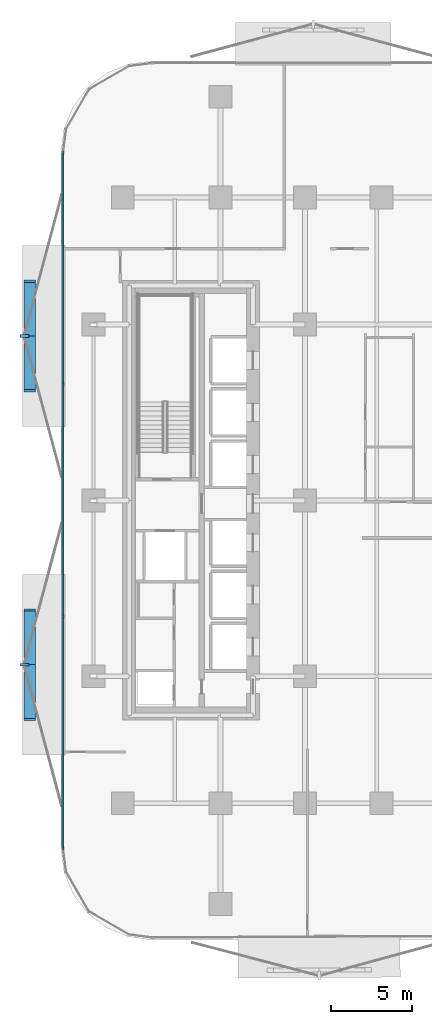
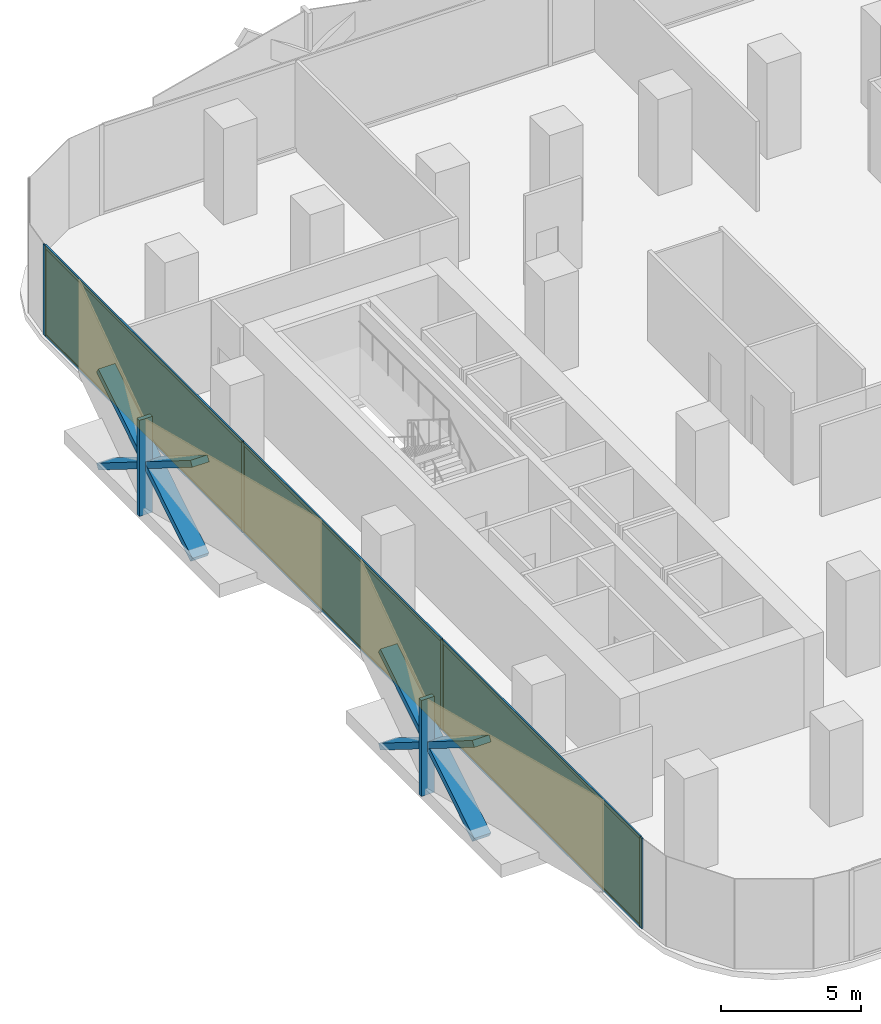
# One storey, part 9 of 16: 16 members, 3 plates, 1 curtain wall.
"""IFC4 building model written with IfcOpenShell, lengths in metres."""

from ifc_helpers import new_model, si_unit, direction, frame, frame_2d, origin, origin_2d, place, context, subcontext, project, spatial, rectangle, extrude, material, layer, layer_set, material_profile, profile_set, type_object, element, aggregate, save


model = new_model("IFC4")

# Units and contexts
model_context = context("Model", 3, precision=1e-05, world=origin(), true_north=direction((0.0, 1.0)))
body_context = subcontext(model_context, "Body", "Model", "MODEL_VIEW")
ifc_project = project(units=[si_unit("LENGTHUNIT", "METRE"), si_unit("AREAUNIT", "SQUARE_METRE"), si_unit("VOLUMEUNIT", "CUBIC_METRE"), si_unit("PLANEANGLEUNIT", "RADIAN"), si_unit("MASSUNIT", "GRAM", prefix="KILO")], contexts=[model_context])

# Member
ifc_material_1 = material(Name="Anodised Bronze Aluminium 6063-T6", Category="aluminium")
ifc_material_profile_1 = material_profile(ifc_material_1, rectangle(XDim=0.260009765625, YDim=0.699951171875, at=origin_2d()))
ifc_profile_set_1 = profile_set([ifc_material_profile_1], Name="Anodised Bronze Aluminium 6063-T6")
member_type_1 = type_object("IfcMemberType", Name="Bronze Diamond Solar-Screen Lattice Rib BDL-700", PredefinedType="MULLION", material=ifc_profile_set_1)
site_placement = place(None, origin())
building_placement = place(site_placement, origin())
storey_placement = place(building_placement, frame((0.0, 0.0, 55.39990234375)))
member_1_placement = place(storey_placement, frame((-26.10009765625, -13.46044921875, -0.1298828125), z_axis=(0.0, 0.848362902952, 0.529415134744), x_axis=(0.0, -0.529415134744, 0.848362902952)))
member_1 = element("IfcMember", 1, at=member_1_placement, type_object=member_type_1, Name="L13 Bronze Diamond Solar Screen Lattice Rib 59A", PredefinedType="MULLION", context=body_context, shape_type="SweptSolid", body=[
    extrude(rectangle(XDim=0.260009765625, YDim=0.699951171875, at=origin_2d()), origin(), (0.0, 0.0, 1.0), 7.93310546875),
])

member_2_placement = place(storey_placement, frame((-26.10009765625, -6.730224609375, -0.1298828125), z_axis=(0.0, -0.848362902952, 0.529415134744), x_axis=(0.0, 0.529415134744, 0.848362902952)))
member_2 = element("IfcMember", 2, at=member_2_placement, type_object=member_type_1, Name="L13 Bronze Diamond Solar Screen Lattice Rib 59B", PredefinedType="MULLION", context=body_context, shape_type="SweptSolid", body=[
    extrude(rectangle(XDim=0.260009765625, YDim=0.699951171875, at=origin_2d()), origin(), (0.0, 0.0, 1.0), 7.93310546875),
])

member_3_placement = place(storey_placement, frame((-26.10009765625, 6.730224609375, -0.1298828125), z_axis=(0.0, 0.848362902952, 0.529415134744), x_axis=(0.0, -0.529415134744, 0.848362902952)))
member_3 = element("IfcMember", 3, at=member_3_placement, type_object=member_type_1, Name="L13 Bronze Diamond Solar Screen Lattice Rib 60A", PredefinedType="MULLION", context=body_context, shape_type="SweptSolid", body=[
    extrude(rectangle(XDim=0.260009765625, YDim=0.699951171875, at=origin_2d()), origin(), (0.0, 0.0, 1.0), 7.93310546875),
])

member_4_placement = place(storey_placement, frame((-26.10009765625, 13.46044921875, -0.1298828125), z_axis=(0.0, -0.848362902952, 0.529415134744), x_axis=(0.0, 0.529415134744, 0.848362902952)))
member_4 = element("IfcMember", 4, at=member_4_placement, type_object=member_type_1, Name="L13 Bronze Diamond Solar Screen Lattice Rib 60B", PredefinedType="MULLION", context=body_context, shape_type="SweptSolid", body=[
    extrude(rectangle(XDim=0.260009765625, YDim=0.699951171875, at=origin_2d()), origin(), (0.0, 0.0, 1.0), 7.93310546875),
])

ifc_material_2 = material(Name="Anodised Bronze Aluminium 6063-T6", Category="aluminium")
ifc_material_profile_2 = material_profile(ifc_material_2, rectangle(XDim=0.179931640625, YDim=0.5400390625, at=origin_2d()))
ifc_profile_set_2 = profile_set([ifc_material_profile_2], Name="Anodised Bronze Aluminium 6063-T6")
member_type_2 = type_object("IfcMemberType", Name="Bronze Solar-Screen Vertical Fold Fin BSF-540", PredefinedType="MULLION", material=ifc_profile_set_2)
member_5_placement = place(storey_placement, frame((-26.43994140625, -10.095458984375, -0.1298828125), z_axis=(0.0, 0.0, 1.0), x_axis=(0.0, 1.0, 0.0)))
member_5 = element("IfcMember", 5, at=member_5_placement, type_object=member_type_2, Name="L13 Bronze Solar Screen Vertical Fin 59", PredefinedType="MULLION", context=body_context, shape_type="SweptSolid", body=[
    extrude(rectangle(XDim=0.179931640625, YDim=0.5400390625, at=origin_2d()), origin(), (0.0, 0.0, 1.0), 4.199951171875),
])

member_6_placement = place(storey_placement, frame((-26.43994140625, 10.095458984375, -0.1298828125), z_axis=(0.0, 0.0, 1.0), x_axis=(0.0, 1.0, 0.0)))
member_6 = element("IfcMember", 6, at=member_6_placement, type_object=member_type_2, Name="L13 Bronze Solar Screen Vertical Fin 60", PredefinedType="MULLION", context=body_context, shape_type="SweptSolid", body=[
    extrude(rectangle(XDim=0.179931640625, YDim=0.5400390625, at=origin_2d()), origin(), (0.0, 0.0, 1.0), 4.199951171875),
])

ifc_material_3 = material(Name="Anodised Bronze Aluminium 6063-T6", Category="aluminium")
ifc_material_profile_3 = material_profile(ifc_material_3, rectangle(XDim=0.06494140625, YDim=0.179931640625, at=origin_2d()))
ifc_profile_set_3 = profile_set([ifc_material_profile_3], Name="Anodised Bronze Aluminium 6063-T6")
member_type_3 = type_object("IfcMemberType", Name="CW-Z1 Mullion 65x180", PredefinedType="MULLION", material=ifc_profile_set_3)
member_7_placement = place(storey_placement, frame((-24.06005859375, -21.3583984375, 0.0), z_axis=(0.0, 0.0, 1.0), x_axis=(-1.0, 0.0, 0.0)))
member_7 = element("IfcMember", 7, at=member_7_placement, type_object=member_type_3, Name="CW-Z1 mullion 1", PredefinedType="MULLION", context=body_context, shape_type="SweptSolid", body=[
    extrude(rectangle(XDim=0.06494140625, YDim=0.179931640625, at=origin_2d()), origin(), (0.0, 0.0, 1.0), 3.940185546875),
])

member_8_placement = place(storey_placement, frame((-24.06005859375, -7.13037109375, 0.0), z_axis=(0.0, 0.0, 1.0), x_axis=(-1.0, 0.0, 0.0)))
member_8 = element("IfcMember", 8, at=member_8_placement, type_object=member_type_3, Name="CW-Z1 mullion 2", PredefinedType="MULLION", context=body_context, shape_type="SweptSolid", body=[
    extrude(rectangle(XDim=0.06494140625, YDim=0.179931640625, at=origin_2d()), origin(), (0.0, 0.0, 1.0), 3.940185546875),
])

member_9_placement = place(storey_placement, frame((-24.06005859375, 7.13037109375, 0.0), z_axis=(0.0, 0.0, 1.0), x_axis=(-1.0, 0.0, 0.0)))
member_9 = element("IfcMember", 9, at=member_9_placement, type_object=member_type_3, Name="CW-Z1 mullion 3", PredefinedType="MULLION", context=body_context, shape_type="SweptSolid", body=[
    extrude(rectangle(XDim=0.06494140625, YDim=0.179931640625, at=origin_2d()), origin(), (0.0, 0.0, 1.0), 3.940185546875),
])

member_10_placement = place(storey_placement, frame((-24.06005859375, 21.3583984375, 0.0), z_axis=(0.0, 0.0, 1.0), x_axis=(-1.0, 0.0, 0.0)))
member_10 = element("IfcMember", 10, at=member_10_placement, type_object=member_type_3, Name="CW-Z1 mullion 4", PredefinedType="MULLION", context=body_context, shape_type="SweptSolid", body=[
    extrude(rectangle(XDim=0.06494140625, YDim=0.179931640625, at=origin_2d()), origin(), (0.0, 0.0, 1.0), 3.940185546875),
])

ifc_material_4 = material(Name="Anodised Bronze Aluminium 6063-T6", Category="aluminium")
ifc_material_profile_4 = material_profile(ifc_material_4, rectangle(XDim=0.06494140625, YDim=0.139892578125, at=origin_2d()))
ifc_profile_set_4 = profile_set([ifc_material_profile_4], Name="Anodised Bronze Aluminium 6063-T6")
member_type_4 = type_object("IfcMemberType", Name="CW-Z1 Transom 65x140", PredefinedType="USERDEFINED", material=ifc_profile_set_4)
member_11_placement = place(storey_placement, frame((-24.06005859375, -21.32568359375, 0.03271484375), z_axis=(0.0, 1.0, 0.0), x_axis=(-1.0, 0.0, 0.0)))
member_11 = element("IfcMember", 11, at=member_11_placement, type_object=member_type_4, Name="CW-Z1 transom 1.1", ObjectType="TRANSOM", PredefinedType="USERDEFINED", context=body_context, shape_type="SweptSolid", body=[
    extrude(rectangle(XDim=0.06494140625, YDim=0.139892578125, at=origin_2d()), origin(), (0.0, 0.0, 1.0), 14.162841796875),
])

member_12_placement = place(storey_placement, frame((-24.06005859375, -21.32568359375, 3.90771484375), z_axis=(0.0, 1.0, 0.0), x_axis=(-1.0, 0.0, 0.0)))
member_12 = element("IfcMember", 12, at=member_12_placement, type_object=member_type_4, Name="CW-Z1 transom 1.2", ObjectType="TRANSOM", PredefinedType="USERDEFINED", context=body_context, shape_type="SweptSolid", body=[
    extrude(rectangle(XDim=0.06494140625, YDim=0.139892578125, at=origin_2d()), origin(), (0.0, 0.0, 1.0), 14.162841796875),
])

member_13_placement = place(storey_placement, frame((-24.06005859375, -7.09765625, 0.03271484375), z_axis=(0.0, 1.0, 0.0), x_axis=(-1.0, 0.0, 0.0)))
member_13 = element("IfcMember", 13, at=member_13_placement, type_object=member_type_4, Name="CW-Z1 transom 2.1", ObjectType="TRANSOM", PredefinedType="USERDEFINED", context=body_context, shape_type="SweptSolid", body=[
    extrude(rectangle(XDim=0.06494140625, YDim=0.139892578125, at=origin_2d()), origin(), (0.0, 0.0, 1.0), 14.1953125),
])

member_14_placement = place(storey_placement, frame((-24.06005859375, -7.09765625, 3.90771484375), z_axis=(0.0, 1.0, 0.0), x_axis=(-1.0, 0.0, 0.0)))
member_14 = element("IfcMember", 14, at=member_14_placement, type_object=member_type_4, Name="CW-Z1 transom 2.2", ObjectType="TRANSOM", PredefinedType="USERDEFINED", context=body_context, shape_type="SweptSolid", body=[
    extrude(rectangle(XDim=0.06494140625, YDim=0.139892578125, at=origin_2d()), origin(), (0.0, 0.0, 1.0), 14.1953125),
])

member_15_placement = place(storey_placement, frame((-24.06005859375, 7.162841796875, 0.03271484375), z_axis=(0.0, 1.0, 0.0), x_axis=(-1.0, 0.0, 0.0)))
member_15 = element("IfcMember", 15, at=member_15_placement, type_object=member_type_4, Name="CW-Z1 transom 3.1", ObjectType="TRANSOM", PredefinedType="USERDEFINED", context=body_context, shape_type="SweptSolid", body=[
    extrude(rectangle(XDim=0.06494140625, YDim=0.139892578125, at=origin_2d()), origin(), (0.0, 0.0, 1.0), 14.162841796875),
])

member_16_placement = place(storey_placement, frame((-24.06005859375, 7.162841796875, 3.90771484375), z_axis=(0.0, 1.0, 0.0), x_axis=(-1.0, 0.0, 0.0)))
member_16 = element("IfcMember", 16, at=member_16_placement, type_object=member_type_4, Name="CW-Z1 transom 3.2", ObjectType="TRANSOM", PredefinedType="USERDEFINED", context=body_context, shape_type="SweptSolid", body=[
    extrude(rectangle(XDim=0.06494140625, YDim=0.139892578125, at=origin_2d()), origin(), (0.0, 0.0, 1.0), 14.162841796875),
])

# Plate
ifc_material_5 = material(Name="Low-E Solar Control Laminated Glass", Category="glass")
ifc_layer_1 = layer(ifc_material_5, 0.028076171875, Name="Low-E Solar Control Laminated Glass")
ifc_layer_set_1 = layer_set([ifc_layer_1], Name="Low-E Solar Control Laminated Glass")
plate_type = type_object("IfcPlateType", Name="CW-Z1 Low-E Double Glazed Panel 28mm", PredefinedType="CURTAIN_PANEL", material=ifc_layer_set_1)
plate_1_placement = place(storey_placement, frame((-24.06005859375, -14.244384765625, 0.065185546875), z_axis=(0.0, 0.0, 1.0), x_axis=(0.0, 1.0, 0.0)))
plate_1 = element("IfcPlate", 17, at=plate_1_placement, type_object=plate_type, Name="CW-Z1 panel 1.1", PredefinedType="CURTAIN_PANEL", context=body_context, shape_type="SweptSolid", body=[
    extrude(rectangle(XDim=14.1630859375, YDim=0.028076171875, at=origin_2d()), origin(), (0.0, 0.0, 1.0), 3.81005859375),
])

plate_2_placement = place(storey_placement, frame((-24.06005859375, 0.0, 0.065185546875), z_axis=(0.0, 0.0, 1.0), x_axis=(0.0, 1.0, 0.0)))
plate_2 = element("IfcPlate", 18, at=plate_2_placement, type_object=plate_type, Name="CW-Z1 panel 2.1", PredefinedType="CURTAIN_PANEL", context=body_context, shape_type="SweptSolid", body=[
    extrude(rectangle(XDim=14.195556640625, YDim=0.028076171875, at=origin_2d()), origin(), (0.0, 0.0, 1.0), 3.81005859375),
])

plate_3_placement = place(storey_placement, frame((-24.06005859375, 14.244384765625, 0.065185546875), z_axis=(0.0, 0.0, 1.0), x_axis=(0.0, 1.0, 0.0)))
plate_3 = element("IfcPlate", 19, at=plate_3_placement, type_object=plate_type, Name="CW-Z1 panel 3.1", PredefinedType="CURTAIN_PANEL", context=body_context, shape_type="SweptSolid", body=[
    extrude(rectangle(XDim=14.1630859375, YDim=0.028076171875, at=origin_2d()), origin(), (0.0, 0.0, 1.0), 3.81005859375),
])

# Site, building, storey
site = spatial("IfcSite", under=ifc_project, at=site_placement, CompositionType="ELEMENT")
building = spatial("IfcBuilding", under=site, at=building_placement, Name="Khairoan Windgate Tower", CompositionType="ELEMENT")
storey = spatial("IfcBuildingStorey", under=building, at=storey_placement, Name="L13", CompositionType="ELEMENT", Elevation=55.39990234375)

# Curtain wall
ifc_material_6 = material(Name="Anodised Bronze Aluminium 6063-T6", Category="aluminium")
ifc_layer_2 = layer(ifc_material_6, 0.179931640625, Name="Anodised Bronze Aluminium 6063-T6")
ifc_layer_set_2 = layer_set([ifc_layer_2], Name="Anodised Bronze Aluminium 6063-T6")
curtain_wall_type = type_object("IfcCurtainWallType", Name="Low-Rise Office Unitised Curtain Wall CW-Z1", PredefinedType="NOTDEFINED", material=ifc_layer_set_2)
curtain_wall_placement = place(storey_placement, frame((-24.06005859375, -21.390869140625, 0.0), z_axis=(0.0, 0.0, 1.0), x_axis=(0.0, 1.0, 0.0)))
curtain_wall = element("IfcCurtainWall", 20, at=curtain_wall_placement, inside=storey, type_object=curtain_wall_type, Name="L13 Unitised Curtain Wall 6", PredefinedType="NOTDEFINED", context=body_context, shape_type="SweptSolid", body=[
    extrude(rectangle(XDim=42.78173828125, YDim=0.010009765625, at=frame_2d((21.390869140625, 0.0))), origin(), (0.0, 0.0, 1.0), 3.940185546875),
])

aggregate(curtain_wall, [member_7, member_8, member_9, member_10, member_11, member_12, plate_1, member_13, member_14, plate_2, member_15, member_16, plate_3, member_1, member_2, member_5, member_3, member_4, member_6])

save(model, "model.ifc")
